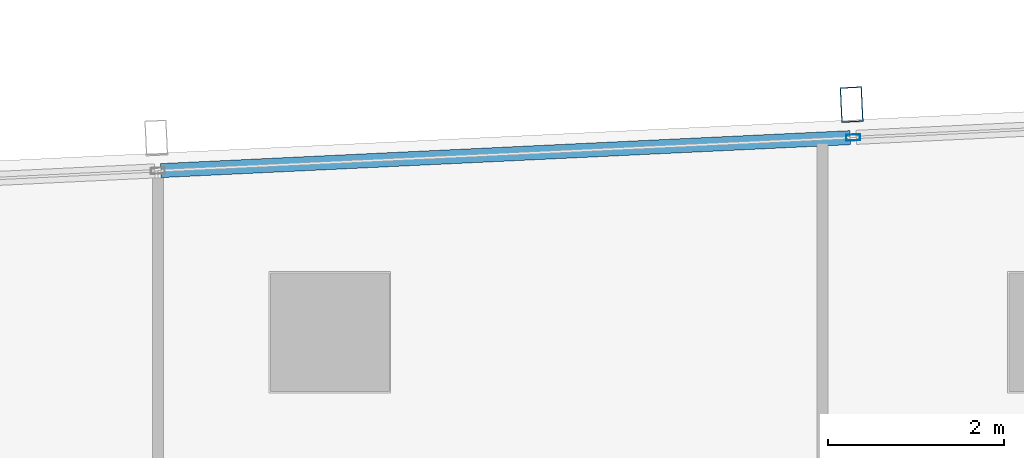
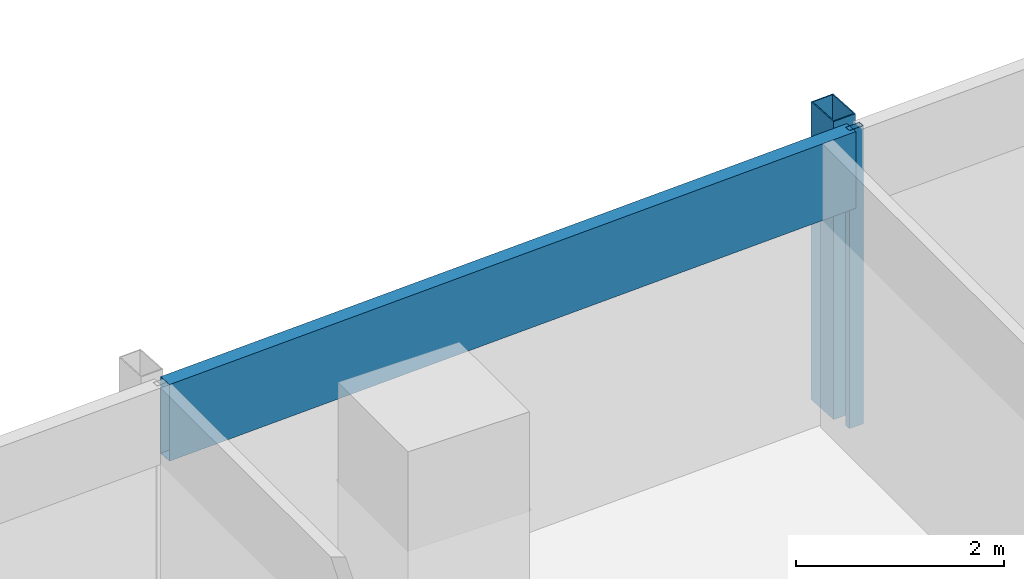
# One storey, part 18 of 40: 3 members, 1 element without a shape of its own.
"""IFC4 building model written with IfcOpenShell, lengths in metres."""

from ifc_helpers import new_model, si_unit, direction, frame, origin, origin_2d, place, context, subcontext, project, spatial, hollow_rectangle, extrude, material, material_profile, profile_set, type_object, element, aggregate, save


model = new_model("IFC4")

# Units and contexts
model_context = context("Model", 3, precision=1e-05, world=origin(), true_north=direction((0.0, 1.0)))
body_context = subcontext(model_context, "Body", "Model", "MODEL_VIEW")
ifc_project = project(units=[si_unit("LENGTHUNIT", "METRE"), si_unit("AREAUNIT", "SQUARE_METRE"), si_unit("VOLUMEUNIT", "CUBIC_METRE"), si_unit("PLANEANGLEUNIT", "RADIAN"), si_unit("MASSUNIT", "GRAM", prefix="KILO")], contexts=[model_context])

# Site, building, storey
site_placement = place(None, origin())
site = spatial("IfcSite", under=ifc_project, at=site_placement, CompositionType="ELEMENT")
building_placement = place(site_placement, origin())
building = spatial("IfcBuilding", under=site, at=building_placement, Name="Rekha Terrace Tower", CompositionType="ELEMENT")
storey_placement = place(building_placement, frame((0.0, 0.0, 213.949951171875)))
storey = spatial("IfcBuildingStorey", under=building, at=storey_placement, Name="L54", CompositionType="ELEMENT", Elevation=213.949951171875)

# Curtain wall, members
ifc_material_1 = material(Name="Aluminium framing", Category="aluminium")
curtain_wall_type = type_object("IfcCurtainWallType", Name="CW3 north unitised glazing", PredefinedType="USERDEFINED", material=ifc_material_1)
curtain_wall_placement = place(storey_placement, origin())
curtain_wall = element("IfcCurtainWall", 1, at=curtain_wall_placement, inside=storey, type_object=curtain_wall_type, Name="CW3 unitised curtain wall", ObjectType="UNITISED CURTAIN WALL", PredefinedType="USERDEFINED")
ifc_material_2 = material(Name="Steel S355 with fluorocarbon finish", Category="steel")
ifc_material_profile_1 = material_profile(ifc_material_2, hollow_rectangle(XDim=0.25, YDim=0.39990234375, WallThickness=0.012451171875, at=origin_2d()), Name="RHS400x250x12.5")
ifc_profile_set_1 = profile_set([ifc_material_profile_1], Name="Steel S355 with fluorocarbon finish")
member_type_1 = type_object("IfcMemberType", Name="BL1 facade blade RHS 400 x 250", PredefinedType="USERDEFINED", material=ifc_profile_set_1)
member_1_placement = place(storey_placement, frame((22.734130859375, 61.389404296875, 0.0), z_axis=(0.0, 0.0, 1.0), x_axis=(-0.998858913274, -0.04775846913, 0.0)))
member_1 = element("IfcMember", 2, at=member_1_placement, type_object=member_type_1, Name="Facade blade", ObjectType="FACADE BLADE", PredefinedType="USERDEFINED", context=body_context, shape_type="SweptSolid", body=[
    extrude(hollow_rectangle(XDim=0.25, YDim=0.39990234375, WallThickness=0.012451171875, at=origin_2d()), origin(), (0.0, 0.0, 1.0), 3.5),
])
ifc_material_3 = material(Name="Aluminium mullion section", Category="aluminium")
ifc_material_profile_2 = material_profile(ifc_material_3, hollow_rectangle(XDim=0.070068359375, YDim=0.159912109375, WallThickness=0.00390625, at=origin_2d()), Name="AL RHS 70x160")
ifc_profile_set_2 = profile_set([ifc_material_profile_2], Name="Aluminium mullion section")
member_type_2 = type_object("IfcMemberType", Name="CW3 mullion RHS 70 x 160", PredefinedType="MULLION", material=ifc_profile_set_2)
member_2_placement = place(storey_placement, frame((22.751953125, 61.014892578125, 0.0), z_axis=(0.0, 0.0, 1.0), x_axis=(0.047758616983, -0.998858906204, 0.0)))
member_2 = element("IfcMember", 3, at=member_2_placement, type_object=member_type_2, Name="CW3 mullion 4", PredefinedType="MULLION", context=body_context, shape_type="SweptSolid", body=[
    extrude(hollow_rectangle(XDim=0.070068359375, YDim=0.159912109375, WallThickness=0.00390625, at=origin_2d()), origin(), (0.0, 0.0, 1.0), 3.5),
])
ifc_material_4 = material(Name="Insulated aluminium spandrel box", Category="aluminium")
ifc_material_profile_3 = material_profile(ifc_material_4, hollow_rectangle(XDim=0.159912109375, YDim=0.89990234375, WallThickness=0.0029296875, at=origin_2d()), Name="AL SPANDREL BOX 160x900")
ifc_profile_set_3 = profile_set([ifc_material_profile_3], Name="Insulated aluminium spandrel box")
member_type_3 = type_object("IfcMemberType", Name="CW3 spandrel transom 160 x 900", PredefinedType="USERDEFINED", material=ifc_profile_set_3)
member_3_placement = place(storey_placement, frame((22.717041015625, 61.01318359375, 3.050048828125), z_axis=(-0.998859252362, -0.047751376635, 0.0), x_axis=(0.047751376635, -0.998859252362, 0.0)))
member_3 = element("IfcMember", 4, at=member_3_placement, type_object=member_type_3, Name="CW3 spandrel transom 4", ObjectType="TRANSOM", PredefinedType="USERDEFINED", context=body_context, shape_type="SweptSolid", body=[
    extrude(hollow_rectangle(XDim=0.159912109375, YDim=0.89990234375, WallThickness=0.0029296875, at=origin_2d()), origin(), (0.0, 0.0, 1.0), 7.84814453125),
])
aggregate(curtain_wall, [member_2, member_3, member_1])

save(model, "model.ifc")
